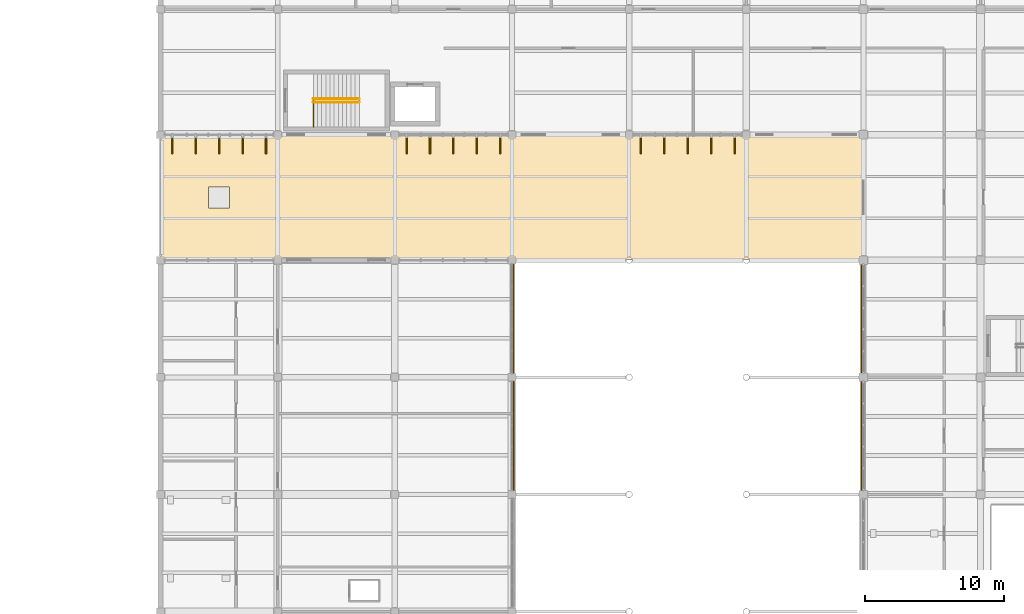
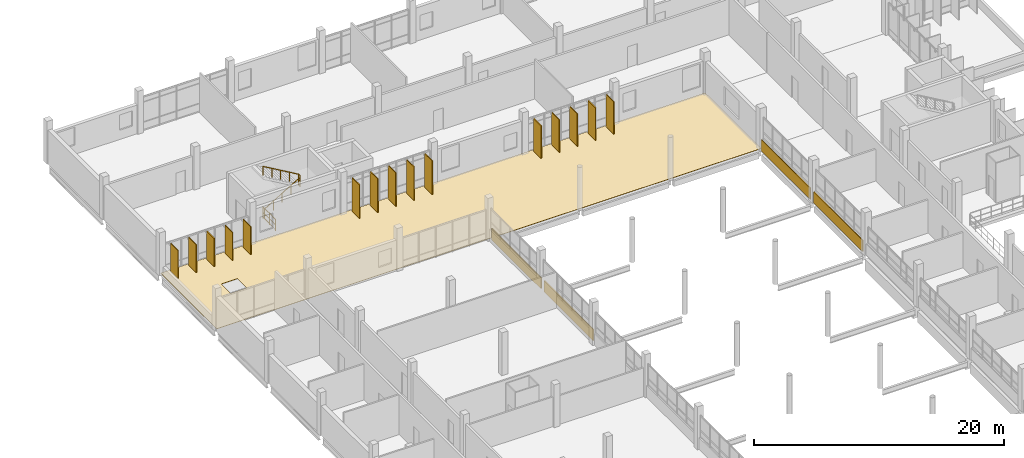
# One storey, part 127 of 130: 15 shading devices, 5 coverings, 4 railings.
"""IFC4 building model written with IfcOpenShell, lengths in metres."""

import ifcopenshell
import ifcopenshell.guid

model = None  # the IFC model being written
_history = None  # IfcOwnerHistory: only IFC2X3 demands one
_inside = {}  # id of a spatial element -> (the spatial element, [elements in it])
_under = {}  # id of a project, library or spatial element -> (it, [spatial elements below it])
_declared = {}  # id of a project -> (the project, [libraries it declares])
_typed = {}  # id of a type object -> (the type object, [elements of that type])
_made_of = {}  # id of a material, layer set ... -> (it, [elements and type objects made of it])


def new_model(schema):
    """Start an empty IFC model of exactly this schema.

    Asked for "IFC4X3", IfcOpenShell would pick the latest addendum, in which some entities
    have other attributes; the version numbers below select the first issue.
    IFC2X3 requires an IfcOwnerHistory on every rooted entity: one is made here for all.
    """
    global model, _history
    if schema == "IFC4X3":
        model = ifcopenshell.file(schema_version=(4, 3, 0, 0))
    else:
        model = ifcopenshell.file(schema=schema)
    _inside.clear()
    _under.clear()
    _declared.clear()
    _typed.clear()
    _made_of.clear()
    _history = None
    if model.schema == "IFC2X3":
        org = make("IfcOrganization", Name="unknown")
        user = make(
            "IfcPersonAndOrganization",
            ThePerson=make("IfcPerson", FamilyName="unknown"),
            TheOrganization=org,
        )
        app = make(
            "IfcApplication",
            ApplicationDeveloper=org,
            Version="unknown",
            ApplicationFullName="unknown",
            ApplicationIdentifier="unknown",
        )
        _history = make(
            "IfcOwnerHistory",
            OwningUser=user,
            OwningApplication=app,
            ChangeAction="ADDED",
            CreationDate=0,
        )
    return model


def make(cls, **values):
    """One entity of the class cls with the attributes given. An attribute that is None is left unset."""
    return model.create_entity(
        cls, **{name: value for name, value in values.items() if value is not None}
    )


def rooted(cls, **values):
    """An entity with a GlobalId (a new one), such as an element, a storey or a relation."""
    return make(cls, GlobalId=ifcopenshell.guid.new(), OwnerHistory=_history, **values)


def si_unit(unit_type, name, prefix=None):
    """IfcSIUnit, for example si_unit("LENGTHUNIT", "METRE", prefix="MILLI")."""
    return make("IfcSIUnit", UnitType=unit_type, Prefix=prefix, Name=name)


def assignment(units):
    """IfcUnitAssignment: the units of a project."""
    return None if units is None else make("IfcUnitAssignment", Units=units)


def point(xyz):
    """IfcCartesianPoint."""
    return None if xyz is None else make("IfcCartesianPoint", Coordinates=xyz)


def direction(xyz):
    """IfcDirection."""
    return None if xyz is None else make("IfcDirection", DirectionRatios=xyz)


def frame(location, z_axis=None, x_axis=None):
    """IfcAxis2Placement3D, a coordinate frame: its origin and axes. An axis left out is left unset."""
    return make(
        "IfcAxis2Placement3D",
        Location=point(location),
        Axis=direction(z_axis),
        RefDirection=direction(x_axis),
    )


def frame_2d(location, x_axis=None):
    """IfcAxis2Placement2D, a coordinate frame in the plane: its origin and x axis."""
    return make(
        "IfcAxis2Placement2D", Location=point(location), RefDirection=direction(x_axis)
    )


def origin():
    """The frame at (0, 0, 0) with its axes left unset."""
    return frame((0.0, 0.0, 0.0))


def origin_2d():
    """The frame at (0, 0) in the plane with its x axis left unset."""
    return frame_2d((0.0, 0.0))


def place(relative_to, where):
    """IfcLocalPlacement: puts the frame where relative to a parent placement (None: the world)."""
    return make(
        "IfcLocalPlacement", PlacementRelTo=relative_to, RelativePlacement=where
    )


def context(
    kind, dimensions, precision=None, world=None, true_north=None, identifier=None
):
    """IfcGeometricRepresentationContext, for example the 3D "Model" context."""
    return make(
        "IfcGeometricRepresentationContext",
        ContextIdentifier=identifier,
        ContextType=kind,
        CoordinateSpaceDimension=dimensions,
        Precision=precision,
        WorldCoordinateSystem=world,
        TrueNorth=true_north,
    )


def subcontext(parent, identifier, kind, view, scale=None):
    """IfcGeometricRepresentationSubContext, for example "Body" below "Model"."""
    return make(
        "IfcGeometricRepresentationSubContext",
        ContextIdentifier=identifier,
        ContextType=kind,
        ParentContext=parent,
        TargetScale=scale,
        TargetView=view,
    )


def project(units=None, contexts=None):
    """IfcProject with its units and contexts."""
    return rooted(
        "IfcProject",
        Name="project",
        RepresentationContexts=contexts,
        UnitsInContext=assignment(units),
    )


def spatial(cls, under=None, at=None, **own):
    """A site, building, storey or space (cls), placed at a placement, below another one or the project."""
    s = rooted(cls, ObjectPlacement=at, **own)
    if under is not None:
        _under.setdefault(under.id(), (under, []))[1].append(s)
    return s


def polyline(points):
    """IfcPolyline through the points."""
    return make("IfcPolyline", Points=[point(p) for p in points])


def profile(cls, at=None, kind="AREA", **sizes):
    """A parametric profile (cls). Its sizes go by their IFC names, for example OverallWidth=200.0."""
    return make(cls, ProfileType=kind, Position=at, **sizes)


def rectangle(**sizes):
    """IfcRectangleProfileDef."""
    return profile("IfcRectangleProfileDef", **sizes)


def circle(**sizes):
    """IfcCircleProfileDef."""
    return profile("IfcCircleProfileDef", **sizes)


def outline(outer, holes=None, kind="AREA"):
    """IfcArbitraryClosedProfileDef: a profile drawn as a closed curve; with holes, ...WithVoids."""
    if holes is None:
        return make("IfcArbitraryClosedProfileDef", ProfileType=kind, OuterCurve=outer)
    return make(
        "IfcArbitraryProfileDefWithVoids",
        ProfileType=kind,
        OuterCurve=outer,
        InnerCurves=holes,
    )


def extrude(swept, where, along, depth):
    """IfcExtrudedAreaSolid: the profile swept, set in the frame where, extruded along a direction by depth."""
    return make(
        "IfcExtrudedAreaSolid",
        SweptArea=swept,
        Position=where,
        ExtrudedDirection=direction(along),
        Depth=depth,
    )


def shape(context_of_items, identifier, shape_type, items):
    """IfcShapeRepresentation: the items that make up one representation, for example the "Body"."""
    return make(
        "IfcShapeRepresentation",
        ContextOfItems=context_of_items,
        RepresentationIdentifier=identifier,
        RepresentationType=shape_type,
        Items=items,
    )


def material(Name=None, Category=None):
    """IfcMaterial."""
    return make("IfcMaterial", Name=Name, Category=Category)


def layer(
    of_material, thickness, ventilated=None, Name=None, Category=None, Priority=None
):
    """IfcMaterialLayer: one layer of a wall or slab, of a material (None: an air gap)."""
    return make(
        "IfcMaterialLayer",
        Material=of_material,
        LayerThickness=thickness,
        IsVentilated=ventilated,
        Name=Name,
        Category=Category,
        Priority=Priority,
    )


def layer_set(layers, Name=None):
    """IfcMaterialLayerSet."""
    return make("IfcMaterialLayerSet", MaterialLayers=layers, LayerSetName=Name)


def material_profile(
    of_material, cross_section, Name=None, Category=None, Priority=None
):
    """IfcMaterialProfile: a cross section and its material."""
    return make(
        "IfcMaterialProfile",
        Name=Name,
        Material=of_material,
        Profile=cross_section,
        Priority=Priority,
        Category=Category,
    )


def profile_set(profiles, Name=None, composite=None):
    """IfcMaterialProfileSet."""
    return make(
        "IfcMaterialProfileSet",
        Name=Name,
        MaterialProfiles=profiles,
        CompositeProfile=composite,
    )


def made_of(thing, what):
    """Note that an element or type object is made of a material, layer set ...; save() writes the relation."""
    if what is not None:
        _made_of.setdefault(what.id(), (what, []))[1].append(thing)
    return thing


def type_object(cls, material=None, **own):
    """A type object (cls), such as IfcWallType, which elements share."""
    return made_of(rooted(cls, **own), material)


def element(
    cls,
    number,
    at=None,
    inside=None,
    cuts=None,
    type_object=None,
    material=None,
    context=None,
    identifier="Body",
    shape_type=None,
    held_by="IfcProductDefinitionShape",
    body=None,
    shapes=None,
    **own,
):
    """One element of the class cls, such as IfcWall. Its Tag is "e" and its number.

    at: its placement. inside: the storey or other place that contains it. cuts: it is an
    opening in that element (IfcRelVoidsElement). A single representation is given by context,
    identifier, shape_type and body (its items); several are given by shapes. held_by: the class
    of the entity that holds the representations. save() writes the other relations.
    """
    e = rooted(cls, Tag="e%d" % number, ObjectPlacement=at, **own)
    if body is not None:
        shapes = [shape(context, identifier, shape_type, body)]
    if shapes is not None:
        e.Representation = make(held_by, Representations=shapes)
    if inside is not None:
        _inside.setdefault(inside.id(), (inside, []))[1].append(e)
    if cuts is not None:
        rooted(
            "IfcRelVoidsElement", RelatingBuildingElement=cuts, RelatedOpeningElement=e
        )
    if type_object is not None:
        _typed.setdefault(type_object.id(), (type_object, []))[1].append(e)
    return made_of(e, material)


def aggregate(whole, parts):
    """IfcRelAggregates: a whole, such as a stair, and the parts it consists of."""
    return rooted("IfcRelAggregates", RelatingObject=whole, RelatedObjects=parts)


def save(model, path):
    """Write the relations noted so far, then the file.

    IfcRelAggregates (storeys below a building ...), IfcRelContainedInSpatialStructure (elements
    in a storey), IfcRelDefinesByType, IfcRelAssociatesMaterial and IfcRelDeclares: one each for
    every whole, place, type object, material and project.
    """
    for whole, parts in _under.values():
        aggregate(whole, parts)
    for where, things in _inside.values():
        rooted(
            "IfcRelContainedInSpatialStructure",
            RelatedElements=things,
            RelatingStructure=where,
        )
    for kind, things in _typed.values():
        rooted("IfcRelDefinesByType", RelatedObjects=things, RelatingType=kind)
    for what, things in _made_of.values():
        rooted("IfcRelAssociatesMaterial", RelatedObjects=things, RelatingMaterial=what)
    for by, libraries in _declared.values():
        rooted("IfcRelDeclares", RelatingContext=by, RelatedDefinitions=libraries)
    model.write(path)


model = new_model("IFC4")

# Units and contexts
model_context = context("Model", 3, precision=1e-05, world=origin(), true_north=direction((0.0, 1.0)))
body_context = subcontext(model_context, "Body", "Model", "MODEL_VIEW")
ifc_project = project(units=[si_unit("LENGTHUNIT", "METRE"), si_unit("AREAUNIT", "SQUARE_METRE"), si_unit("VOLUMEUNIT", "CUBIC_METRE"), si_unit("PLANEANGLEUNIT", "RADIAN"), si_unit("MASSUNIT", "GRAM", prefix="KILO")], contexts=[model_context])

# Site, building, storey
site_placement = place(None, origin())
site = spatial("IfcSite", under=ifc_project, at=site_placement, CompositionType="ELEMENT")
building_placement = place(site_placement, origin())
building = spatial("IfcBuilding", under=site, at=building_placement, Name="Vireocrest Preparatory School", CompositionType="ELEMENT")
storey_placement = place(building_placement, frame((0.0, 0.0, 9.0)))
storey = spatial("IfcBuildingStorey", under=building, at=storey_placement, Name="L02", CompositionType="ELEMENT", Elevation=9.0)

# Railings
ifc_material_1 = material(Name="Brushed stainless steel AISI 316", Category="steel")
railing_type_1 = type_object("IfcRailingType", Name="Post-and-Rail Guard Balustrade 1120", PredefinedType="BALUSTRADE", material=ifc_material_1)
railing_1_placement = place(storey_placement, frame((52.969970703125, 95.35009765625, 0.0)))
element("IfcRailing", 1, at=railing_1_placement, inside=storey, type_object=railing_type_1, Name="Arrival Landing Guard ST3-L01", PredefinedType="BALUSTRADE", context=body_context, shape_type="SweptSolid", body=[
    extrude(circle(Radius=0.02392578125, at=origin_2d()), frame((0.0, 0.0, 1.09619140625), z_axis=(0.0, 1.0, 0.0), x_axis=(-1.0, 0.0, 0.0)), (0.0, 0.0, 1.0), 2.02001953125),
    extrude(circle(Radius=0.01806640625, at=origin_2d()), frame((0.0, 0.0, 0.56005859375), z_axis=(0.0, 1.0, 0.0), x_axis=(-1.0, 0.0, 0.0)), (0.0, 0.0, 1.0), 2.02001953125),
    extrude(circle(Radius=0.01806640625, at=origin_2d()), frame((0.0, 0.0, 0.10009765625), z_axis=(0.0, 1.0, 0.0), x_axis=(-1.0, 0.0, 0.0)), (0.0, 0.0, 1.0), 2.02001953125),
    extrude(circle(Radius=0.02099609375, at=origin_2d()), origin(), (0.0, 0.0, 1.0), 1.072021484375),
    extrude(circle(Radius=0.02099609375, at=origin_2d()), frame((0.0, 1.010009765625, 0.0)), (0.0, 0.0, 1.0), 1.072021484375),
    extrude(circle(Radius=0.02099609375, at=origin_2d()), frame((0.0, 2.02001953125, 0.0)), (0.0, 0.0, 1.0), 1.072021484375),
])
railing_2_placement = place(storey_placement, frame((56.22998046875, 97.1298828125, 2.10009765625)))
element("IfcRailing", 2, at=railing_2_placement, inside=storey, type_object=railing_type_1, Name="Half-Landing Well Guard ST3-L02", PredefinedType="BALUSTRADE", context=body_context, shape_type="SweptSolid", body=[
    extrude(circle(Radius=0.02392578125, at=origin_2d()), frame((0.0, 0.0, 1.09619140625), z_axis=(0.0, 1.0, 0.0), x_axis=(-1.0, 0.0, 0.0)), (0.0, 0.0, 1.0), 0.240234375),
    extrude(circle(Radius=0.01806640625, at=origin_2d()), frame((0.0, 0.0, 0.56005859375), z_axis=(0.0, 1.0, 0.0), x_axis=(-1.0, 0.0, 0.0)), (0.0, 0.0, 1.0), 0.240234375),
    extrude(circle(Radius=0.01806640625, at=origin_2d()), frame((0.0, 0.0, 0.10009765625), z_axis=(0.0, 1.0, 0.0), x_axis=(-1.0, 0.0, 0.0)), (0.0, 0.0, 1.0), 0.240234375),
    extrude(circle(Radius=0.02099609375, at=origin_2d()), origin(), (0.0, 0.0, 1.0), 1.072021484375),
    extrude(circle(Radius=0.02099609375, at=origin_2d()), frame((0.0, 0.240234375, 0.0)), (0.0, 0.0, 1.0), 1.072021484375),
])
railing_type_2 = type_object("IfcRailingType", Name="Stair Pitch Handrail 900", PredefinedType="HANDRAIL", material=ifc_material_1)
railing_3_placement = place(storey_placement, frame((52.949951171875, 97.1298828125, 0.175048828125)))
element("IfcRailing", 3, at=railing_3_placement, inside=storey, type_object=railing_type_2, Name="Stair Handrail ST3-L02-HR1", PredefinedType="HANDRAIL", context=body_context, shape_type="SweptSolid", body=[
    extrude(circle(Radius=0.02392578125, at=origin_2d()), frame((0.0, 0.0, 0.8759765625), z_axis=(0.863776583165, 0.0, 0.503874998761), x_axis=(0.0, 1.0, 0.0)), (0.0, 0.0, 1.0), 3.820556640625),
    extrude(circle(Radius=0.02099609375, at=origin_2d()), origin(), (0.0, 0.0, 1.0), 0.851806640625),
    extrude(circle(Radius=0.02099609375, at=origin_2d()), frame((0.824951171875, 0.0, 0.481201171875)), (0.0, 0.0, 1.0), 0.851806640625),
    extrude(circle(Radius=0.02099609375, at=origin_2d()), frame((1.64990234375, 0.0, 0.96240234375)), (0.0, 0.0, 1.0), 0.851806640625),
    extrude(circle(Radius=0.02099609375, at=origin_2d()), frame((2.47509765625, 0.0, 1.44384765625)), (0.0, 0.0, 1.0), 0.851806640625),
    extrude(circle(Radius=0.02099609375, at=origin_2d()), frame((3.300048828125, 0.0, 1.925048828125)), (0.0, 0.0, 1.0), 0.851806640625),
])
railing_4_placement = place(storey_placement, frame((56.25, 97.3701171875, 2.27490234375)))
element("IfcRailing", 4, at=railing_4_placement, inside=storey, type_object=railing_type_2, Name="Stair Handrail ST3-L02-HR2", PredefinedType="HANDRAIL", context=body_context, shape_type="SweptSolid", body=[
    extrude(circle(Radius=0.02392578125, at=origin_2d()), frame((0.0, 0.0, 0.8759765625), z_axis=(-0.863776583165, 0.0, 0.503874998761), x_axis=(0.0, -1.0, 0.0)), (0.0, 0.0, 1.0), 3.820556640625),
    extrude(circle(Radius=0.02099609375, at=origin_2d()), origin(), (0.0, 0.0, 1.0), 0.851806640625),
    extrude(circle(Radius=0.02099609375, at=origin_2d()), frame((-0.824951171875, 0.0, 0.481201171875)), (0.0, 0.0, 1.0), 0.851806640625),
    extrude(circle(Radius=0.02099609375, at=origin_2d()), frame((-1.64990234375, 0.0, 0.96240234375)), (0.0, 0.0, 1.0), 0.851806640625),
    extrude(circle(Radius=0.02099609375, at=origin_2d()), frame((-2.47509765625, 0.0, 1.44384765625)), (0.0, 0.0, 1.0), 0.851806640625),
    extrude(circle(Radius=0.02099609375, at=origin_2d()), frame((-3.300048828125, 0.0, 1.925048828125)), (0.0, 0.0, 1.0), 0.851806640625),
])

# Covering
ifc_material_2 = material(Name="TPO single-ply insulated roofing membrane")
ifc_layer_1 = layer(ifc_material_2, 0.030029296875)
ifc_layer_set_1 = layer_set([ifc_layer_1], Name="TPO single-ply insulated roofing membrane")
covering_type_1 = type_object("IfcCoveringType", Name="TPO Insulated Single-Ply Roof Membrane", PredefinedType="ROOFING", material=ifc_layer_set_1)
covering_placement = place(storey_placement, origin())
element("IfcCovering", 5, at=covering_placement, inside=storey, type_object=covering_type_1, Name="Roof Membrane L02_NORTH_CONCOURSE_ROOF", PredefinedType="ROOFING", context=body_context, shape_type="SweptSolid", body=[
    extrude(outline(polyline([(42.0, 85.800048828125), (92.39990234375, 85.800048828125), (92.39990234375, 94.800048828125), (42.0, 94.800048828125), (42.0, 85.800048828125)]), holes=[polyline([(45.449951171875, 89.550048828125), (46.949951171875, 89.550048828125), (46.949951171875, 91.050048828125), (45.449951171875, 91.050048828125), (45.449951171875, 89.550048828125)])]), origin(), (0.0, 0.0, 1.0), 0.030029296875),
])

# Shading devices
ifc_material_3 = material(Name="Warm anodised aluminium EN AW-6063-T6", Category="aluminium")
ifc_material_profile = material_profile(ifc_material_3, rectangle(XDim=0.080078125, YDim=1.199951171875, at=origin_2d()), Name="FIN 80x1200")
ifc_profile_set = profile_set([ifc_material_profile], Name="Warm anodised aluminium EN AW-6063-T6")
shading_device_type = type_object("IfcShadingDeviceType", Name="Vertical Anodised Aluminium Solar Fin 1200", PredefinedType="USERDEFINED", material=ifc_profile_set)
for number, where, z_axis, x_axis, name in (
    (6, (42.840087890625, 94.02001953125, 0.02001953125), (0.0, 0.0, 1.0), (-1.0, 0.0, 0.0), "Vertical Solar Fin FN1 L02-22-1"),
    (7, (44.52001953125, 94.02001953125, 0.02001953125), (0.0, 0.0, 1.0), (-1.0, 0.0, 0.0), "Vertical Solar Fin FN1 L02-22-2"),
    (8, (46.199951171875, 94.02001953125, 0.02001953125), (0.0, 0.0, 1.0), (-1.0, 0.0, 0.0), "Vertical Solar Fin FN1 L02-22-3"),
    (9, (47.8798828125, 94.02001953125, 0.02001953125), (0.0, 0.0, 1.0), (-1.0, 0.0, 0.0), "Vertical Solar Fin FN1 L02-22-4"),
    (10, (49.56005859375, 94.02001953125, 0.02001953125), (0.0, 0.0, 1.0), (-1.0, 0.0, 0.0), "Vertical Solar Fin FN1 L02-22-5"),
):
    element("IfcShadingDevice", number, at=place(storey_placement, frame(where, z_axis=z_axis, x_axis=x_axis)), inside=storey, type_object=shading_device_type, Name=name, ObjectType="FIN", PredefinedType="USERDEFINED", context=body_context, shape_type="SweptSolid", body=[
        extrude(rectangle(XDim=0.080078125, YDim=1.199951171875, at=origin_2d()), origin(), (0.0, 0.0, 1.0), 2.75),
    ])
for number, where, z_axis, x_axis, name in (
    (11, (59.639892578125, 94.02001953125, 0.02001953125), (0.0, 0.0, 1.0), (-1.0, 0.0, 0.0), "Vertical Solar Fin FN1 L02-23-1"),
    (12, (61.320068359375, 94.02001953125, 0.02001953125), (0.0, 0.0, 1.0), (-1.0, 0.0, 0.0), "Vertical Solar Fin FN1 L02-23-2"),
    (13, (63.0, 94.02001953125, 0.02001953125), (0.0, 0.0, 1.0), (-1.0, 0.0, 0.0), "Vertical Solar Fin FN1 L02-23-3"),
    (14, (64.679931640625, 94.02001953125, 0.02001953125), (0.0, 0.0, 1.0), (-1.0, 0.0, 0.0), "Vertical Solar Fin FN1 L02-23-4"),
    (15, (66.360107421875, 94.02001953125, 0.02001953125), (0.0, 0.0, 1.0), (-1.0, 0.0, 0.0), "Vertical Solar Fin FN1 L02-23-5"),
):
    element("IfcShadingDevice", number, at=place(storey_placement, frame(where, z_axis=z_axis, x_axis=x_axis)), inside=storey, type_object=shading_device_type, Name=name, ObjectType="FIN", PredefinedType="USERDEFINED", context=body_context, shape_type="SweptSolid", body=[
        extrude(rectangle(XDim=0.080078125, YDim=1.199951171875, at=origin_2d()), origin(), (0.0, 0.0, 1.0), 3.300048828125),
    ])
for number, where, z_axis, x_axis, name in (
    (16, (76.43994140625, 94.02001953125, 0.02001953125), (0.0, 0.0, 1.0), (-1.0, 0.0, 0.0), "Vertical Solar Fin FN1 L02-24-1"),
    (17, (78.1201171875, 94.02001953125, 0.02001953125), (0.0, 0.0, 1.0), (-1.0, 0.0, 0.0), "Vertical Solar Fin FN1 L02-24-2"),
    (18, (79.800048828125, 94.02001953125, 0.02001953125), (0.0, 0.0, 1.0), (-1.0, 0.0, 0.0), "Vertical Solar Fin FN1 L02-24-3"),
    (19, (81.47998046875, 94.02001953125, 0.02001953125), (0.0, 0.0, 1.0), (-1.0, 0.0, 0.0), "Vertical Solar Fin FN1 L02-24-4"),
    (20, (83.159912109375, 94.02001953125, 0.02001953125), (0.0, 0.0, 1.0), (-1.0, 0.0, 0.0), "Vertical Solar Fin FN1 L02-24-5"),
):
    element("IfcShadingDevice", number, at=place(storey_placement, frame(where, z_axis=z_axis, x_axis=x_axis)), inside=storey, type_object=shading_device_type, Name=name, ObjectType="FIN", PredefinedType="USERDEFINED", context=body_context, shape_type="SweptSolid", body=[
        extrude(rectangle(XDim=0.080078125, YDim=1.199951171875, at=origin_2d()), origin(), (0.0, 0.0, 1.0), 3.199951171875),
    ])

# Coverings
ifc_material_4 = material(Name="Painted white aluminium cladding EN AW-6063-T6", Category="aluminium")
ifc_layer_2 = layer(ifc_material_4, 0.044921875)
ifc_layer_set_2 = layer_set([ifc_layer_2], Name="Painted white aluminium cladding EN AW-6063-T6")
covering_type_2 = type_object("IfcCoveringType", Name="White High-Tech Horizontal Spandrel Cladding Band", PredefinedType="CLADDING", material=ifc_layer_set_2)
for number, where, z_axis, x_axis, name in (
    (21, (92.264892578125, 73.199951171875, 0.030029296875), (0.0, 0.0, 1.0), (1.0, 0.0, 0.0), "White Court Spandrel Band L02-0261"),
    (22, (92.264892578125, 81.60009765625, 0.030029296875), (0.0, 0.0, 1.0), (1.0, 0.0, 0.0), "White Court Spandrel Band L02-0262"),
):
    element("IfcCovering", number, at=place(storey_placement, frame(where, z_axis=z_axis, x_axis=x_axis)), inside=storey, type_object=covering_type_2, Name=name, PredefinedType="CLADDING", context=body_context, shape_type="SweptSolid", body=[
        extrude(rectangle(XDim=0.0849609375, YDim=7.85009765625, at=origin_2d()), origin(), (0.0, 0.0, 1.0), 1.10009765625),
    ])
for number, where, z_axis, x_axis, name in (
    (23, (67.3349609375, 73.199951171875, 0.030029296875), (0.0, 0.0, 1.0), (1.0, 0.0, 0.0), "White Court Spandrel Band L02-0296"),
    (24, (67.3349609375, 81.60009765625, 0.030029296875), (0.0, 0.0, 1.0), (1.0, 0.0, 0.0), "White Court Spandrel Band L02-0297"),
):
    element("IfcCovering", number, at=place(storey_placement, frame(where, z_axis=z_axis, x_axis=x_axis)), inside=storey, type_object=covering_type_2, Name=name, PredefinedType="CLADDING", context=body_context, shape_type="SweptSolid", body=[
        extrude(rectangle(XDim=0.0849609375, YDim=7.89990234375, at=origin_2d()), origin(), (0.0, 0.0, 1.0), 1.10009765625),
    ])

save(model, "model.ifc")
